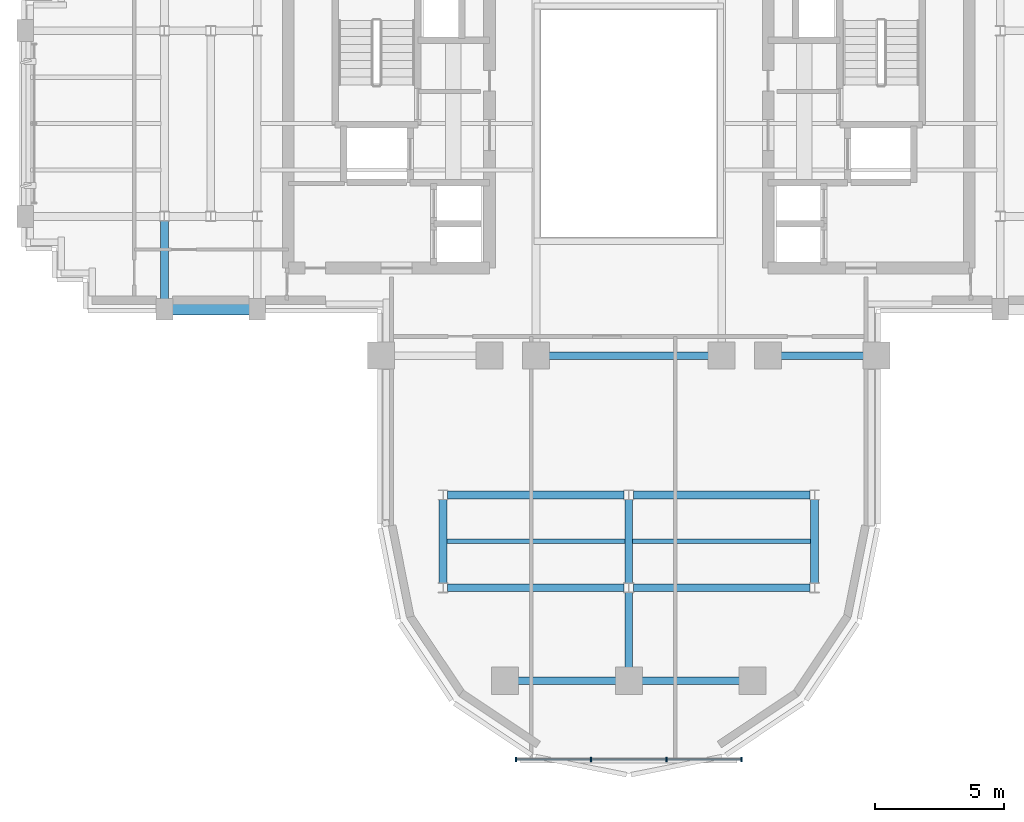
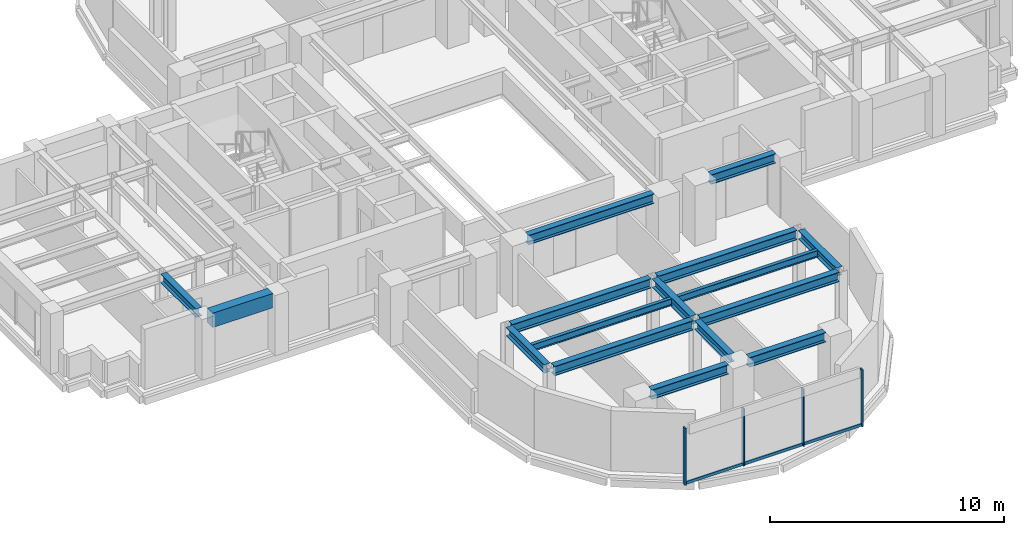
# One storey, part 3 of 13: 16 beams, 7 members, 1 element without a shape of its own.
"""IFC4 building model written with IfcOpenShell, lengths in metres."""

from ifc_helpers import new_model, si_unit, direction, frame, origin, origin_2d, place, context, subcontext, project, spatial, rectangle, i_section, extrude, source, transform, mapped, material, material_profile, profile_set, type_object, element, aggregate, save


model = new_model("IFC4")

# Units and contexts
model_context = context("Model", 3, precision=1e-05, world=origin(), true_north=direction((0.0, 1.0)))
body_context = subcontext(model_context, "Body", "Model", "MODEL_VIEW")
ifc_project = project(units=[si_unit("LENGTHUNIT", "METRE"), si_unit("AREAUNIT", "SQUARE_METRE"), si_unit("VOLUMEUNIT", "CUBIC_METRE"), si_unit("PLANEANGLEUNIT", "RADIAN"), si_unit("MASSUNIT", "GRAM", prefix="KILO")], contexts=[model_context])

# Site, building, storey
site_placement = place(None, origin())
site = spatial("IfcSite", under=ifc_project, at=site_placement, CompositionType="ELEMENT")
building_placement = place(site_placement, origin())
building = spatial("IfcBuilding", under=site, at=building_placement, Name="Keilestroom Media Tower", CompositionType="ELEMENT")
storey_placement = place(building_placement, frame((0.0, 0.0, 148.199951171875)))
storey = spatial("IfcBuildingStorey", under=building, at=storey_placement, Name="L40", CompositionType="ELEMENT", Elevation=148.199951171875)

# Beams
ifc_material_1 = material(Name="Steel S355", Category="steel")
ifc_material_profile_1 = material_profile(ifc_material_1, i_section(OverallWidth=0.169921875, OverallDepth=0.360107421875, WebThickness=0.008056640625, FlangeThickness=0.0126953125, at=origin_2d()), Name="IPE 360")
ifc_profile_set_1 = profile_set([ifc_material_profile_1], Name="Steel S355")
beam_type_1 = type_object("IfcBeamType", Name="Secondary-Floor-Joist-IPE-360", PredefinedType="JOIST", material=ifc_profile_set_1)
shared_shape_1 = source(origin(), body_context, "Body", "SweptSolid", [
    extrude(i_section(OverallWidth=0.169921875, OverallDepth=0.360107421875, WebThickness=0.008056640625, FlangeThickness=0.0126953125, at=origin_2d()), origin(), (0.0, 0.0, 1.0), 6.940185546875),
])
for number, where, z_axis, x_axis, name in (
    (1, (-7.070068359375, -16.199951171875, 2.9599609375), (1.0, 0.0, 0.0), (0.0, 1.0, 0.0), "L40 Beam BJ-5 JST-L40-069"),
    (2, (0.1298828125, -16.199951171875, 2.9599609375), (1.0, 0.0, 0.0), (0.0, 1.0, 0.0), "L40 Beam BJ-5 JST-L40-070"),
):
    element("IfcBeam", number, at=place(storey_placement, frame(where, z_axis=z_axis, x_axis=x_axis)), inside=storey, type_object=beam_type_1, Name=name, PredefinedType="JOIST", context=body_context, shape_type="MappedRepresentation", body=[
        mapped(shared_shape_1, transform((0.0, 0.0, 0.0), x_axis=(1.0, 0.0, 0.0), y_axis=(0.0, 1.0, 0.0), z_axis=(0.0, 0.0, 1.0), scale=1.0)),
    ])
ifc_material_profile_2 = material_profile(ifc_material_1, i_section(OverallWidth=0.300048828125, OverallDepth=0.5, WebThickness=0.012451171875, FlangeThickness=0.028076171875, at=origin_2d()), Name="HEB 500")
ifc_profile_set_2 = profile_set([ifc_material_profile_2], Name="Steel S355")
beam_type_2 = type_object("IfcBeamType", Name="Primary-Structural-Girder-HEB-500", PredefinedType="BEAM", material=ifc_profile_set_2)
shared_shape_2 = source(origin(), body_context, "Body", "SweptSolid", [
    extrude(i_section(OverallWidth=0.300048828125, OverallDepth=0.5, WebThickness=0.012451171875, FlangeThickness=0.028076171875, at=origin_2d()), origin(), (0.0, 0.0, 1.0), 3.7900390625),
])
for number, where, z_axis, x_axis, name in (
    (3, (-4.294921875, -21.60009765625, 2.89013671875), (1.0, 0.0, 0.0), (0.0, 1.0, 0.0), "L40 Beam BG-6 BM-L40-EW-001"),
    (4, (0.5048828125, -21.60009765625, 2.89013671875), (1.0, 0.0, 0.0), (0.0, 1.0, 0.0), "L40 Beam BG-6 BM-L40-EW-002"),
):
    element("IfcBeam", number, at=place(storey_placement, frame(where, z_axis=z_axis, x_axis=x_axis)), inside=storey, type_object=beam_type_2, Name=name, PredefinedType="BEAM", context=body_context, shape_type="MappedRepresentation", body=[
        mapped(shared_shape_2, transform((0.0, 0.0, 0.0), x_axis=(1.0, 0.0, 0.0), y_axis=(0.0, 1.0, 0.0), z_axis=(0.0, 0.0, 1.0), scale=1.0)),
    ])
shared_shape_3 = source(origin(), body_context, "Body", "SweptSolid", [
    extrude(i_section(OverallWidth=0.300048828125, OverallDepth=0.5, WebThickness=0.012451171875, FlangeThickness=0.028076171875, at=origin_2d()), origin(), (0.0, 0.0, 1.0), 6.839111328125),
])
for number, where, z_axis, x_axis, name in (
    (5, (-7.01953125, -18.0, 2.89013671875), (1.0, 0.0, 0.0), (0.0, 1.0, 0.0), "L40 Beam BG-6 BM-L40-EW-003"),
    (6, (0.180419921875, -18.0, 2.89013671875), (1.0, 0.0, 0.0), (0.0, 1.0, 0.0), "L40 Beam BG-6 BM-L40-EW-004"),
    (7, (-7.01953125, -14.39990234375, 2.89013671875), (1.0, 0.0, 0.0), (0.0, 1.0, 0.0), "L40 Beam BG-6 BM-L40-EW-005"),
    (8, (0.180419921875, -14.39990234375, 2.89013671875), (1.0, 0.0, 0.0), (0.0, 1.0, 0.0), "L40 Beam BG-6 BM-L40-EW-006"),
):
    element("IfcBeam", number, at=place(storey_placement, frame(where, z_axis=z_axis, x_axis=x_axis)), inside=storey, type_object=beam_type_2, Name=name, PredefinedType="BEAM", context=body_context, shape_type="MappedRepresentation", body=[
        mapped(shared_shape_3, transform((0.0, 0.0, 0.0), x_axis=(1.0, 0.0, 0.0), y_axis=(0.0, 1.0, 0.0), z_axis=(0.0, 0.0, 1.0), scale=1.0)),
    ])
shared_shape_4 = source(origin(), body_context, "Body", "SweptSolid", [
    extrude(i_section(OverallWidth=0.300048828125, OverallDepth=0.5, WebThickness=0.012451171875, FlangeThickness=0.028076171875, at=origin_2d()), origin(), (0.0, 0.0, 1.0), 3.18994140625),
])
beam_1_placement = place(storey_placement, frame((5.905029296875, -9.0, 2.89013671875), z_axis=(1.0, 0.0, 0.0), x_axis=(0.0, 1.0, 0.0)))
element("IfcBeam", 9, at=beam_1_placement, inside=storey, type_object=beam_type_2, Name="L40 Beam BG-6 BM-L40-EW-011", PredefinedType="BEAM", context=body_context, shape_type="MappedRepresentation", body=[
    mapped(shared_shape_4, transform((0.0, 0.0, 0.0), x_axis=(1.0, 0.0, 0.0), y_axis=(0.0, 1.0, 0.0), z_axis=(0.0, 0.0, 1.0), scale=1.0)),
])
shared_shape_5 = source(origin(), body_context, "Body", "SweptSolid", [
    extrude(i_section(OverallWidth=0.300048828125, OverallDepth=0.5, WebThickness=0.012451171875, FlangeThickness=0.028076171875, at=origin_2d()), origin(), (0.0, 0.0, 1.0), 6.18994140625),
])
beam_2_placement = place(storey_placement, frame((-3.094970703125, -9.0, 2.89013671875), z_axis=(1.0, 0.0, 0.0), x_axis=(0.0, 1.0, 0.0)))
element("IfcBeam", 10, at=beam_2_placement, inside=storey, type_object=beam_type_2, Name="L40 Beam BG-6 BM-L40-EW-009", PredefinedType="BEAM", context=body_context, shape_type="MappedRepresentation", body=[
    mapped(shared_shape_5, transform((0.0, 0.0, 0.0), x_axis=(1.0, 0.0, 0.0), y_axis=(0.0, 1.0, 0.0), z_axis=(0.0, 0.0, 1.0), scale=1.0)),
])
ifc_material_2 = material(Name="Precast concrete C40/50", Category="concrete")
ifc_material_profile_3 = material_profile(ifc_material_2, rectangle(XDim=0.449951171875, YDim=0.75, at=origin_2d()), Name="PC 450x750")
ifc_profile_set_3 = profile_set([ifc_material_profile_3], Name="Precast concrete C40/50")
beam_type_3 = type_object("IfcBeamType", Name="Perimeter-Spandrel-Beam-PC-450x750", PredefinedType="SPANDREL", material=ifc_profile_set_3)
shared_shape_6 = source(origin(), body_context, "Body", "SweptSolid", [
    extrude(rectangle(XDim=0.449951171875, YDim=0.75, at=origin_2d()), origin(), (0.0, 0.0, 1.0), 2.989990234375),
])
beam_3_placement = place(storey_placement, frame((-17.695068359375, -7.199951171875, 2.76513671875), z_axis=(1.0, 0.0, 0.0), x_axis=(0.0, 1.0, 0.0)))
element("IfcBeam", 11, at=beam_3_placement, inside=storey, type_object=beam_type_3, Name="L40 Beam SPB-1 BM-L40-EW-012", PredefinedType="SPANDREL", context=body_context, shape_type="MappedRepresentation", body=[
    mapped(shared_shape_6, transform((0.0, 0.0, 0.0), x_axis=(1.0, 0.0, 0.0), y_axis=(0.0, 1.0, 0.0), z_axis=(0.0, 0.0, 1.0), scale=1.0)),
])
ifc_material_profile_4 = material_profile(ifc_material_1, i_section(OverallWidth=0.300048828125, OverallDepth=0.449951171875, WebThickness=0.011962890625, FlangeThickness=0.02587890625, at=origin_2d()), Name="HEB 450")
ifc_profile_set_4 = profile_set([ifc_material_profile_4], Name="Steel S355")
beam_type_4 = type_object("IfcBeamType", Name="Primary-Structural-Girder-HEB-450", PredefinedType="BEAM", material=ifc_profile_set_4)
shared_shape_7 = source(origin(), body_context, "Body", "SweptSolid", [
    extrude(i_section(OverallWidth=0.300048828125, OverallDepth=0.449951171875, WebThickness=0.011962890625, FlangeThickness=0.02587890625, at=origin_2d()), origin(), (0.0, 0.0, 1.0), 3.015380859375),
])
beam_4_placement = place(storey_placement, frame((-18.0, -6.794921875, 2.9150390625), z_axis=(0.0, 1.0, 0.0), x_axis=(-1.0, 0.0, 0.0)))
element("IfcBeam", 12, at=beam_4_placement, inside=storey, type_object=beam_type_4, Name="L40 Beam BG-7 BM-L40-NS-040", PredefinedType="BEAM", context=body_context, shape_type="MappedRepresentation", body=[
    mapped(shared_shape_7, transform((0.0, 0.0, 0.0), x_axis=(1.0, 0.0, 0.0), y_axis=(0.0, 1.0, 0.0), z_axis=(0.0, 0.0, 1.0), scale=1.0)),
])
shared_shape_8 = source(origin(), body_context, "Body", "SweptSolid", [
    extrude(i_section(OverallWidth=0.300048828125, OverallDepth=0.449951171875, WebThickness=0.011962890625, FlangeThickness=0.02587890625, at=origin_2d()), origin(), (0.0, 0.0, 1.0), 3.240966796875),
])
for number, where, z_axis, x_axis, name in (
    (13, (-7.199951171875, -17.820556640625, 2.9150390625), (0.0, 1.0, 0.0), (-1.0, 0.0, 0.0), "L40 Beam BG-7 BM-L40-NS-048"),
    (14, (0.0, -17.820556640625, 2.9150390625), (0.0, 1.0, 0.0), (-1.0, 0.0, 0.0), "L40 Beam BG-7 BM-L40-NS-053"),
    (15, (7.199951171875, -17.820556640625, 2.9150390625), (0.0, 1.0, 0.0), (-1.0, 0.0, 0.0), "L40 Beam BG-7 BM-L40-NS-058"),
):
    element("IfcBeam", number, at=place(storey_placement, frame(where, z_axis=z_axis, x_axis=x_axis)), inside=storey, type_object=beam_type_4, Name=name, PredefinedType="BEAM", context=body_context, shape_type="MappedRepresentation", body=[
        mapped(shared_shape_8, transform((0.0, 0.0, 0.0), x_axis=(1.0, 0.0, 0.0), y_axis=(0.0, 1.0, 0.0), z_axis=(0.0, 0.0, 1.0), scale=1.0)),
    ])
shared_shape_9 = source(origin(), body_context, "Body", "SweptSolid", [
    extrude(i_section(OverallWidth=0.300048828125, OverallDepth=0.449951171875, WebThickness=0.011962890625, FlangeThickness=0.02587890625, at=origin_2d()), origin(), (0.0, 0.0, 1.0), 2.91552734375),
])
beam_5_placement = place(storey_placement, frame((0.0, -21.094970703125, 2.9150390625), z_axis=(0.0, 1.0, 0.0), x_axis=(-1.0, 0.0, 0.0)))
element("IfcBeam", 16, at=beam_5_placement, inside=storey, type_object=beam_type_4, Name="L40 Beam BG-7 BM-L40-NS-052", PredefinedType="BEAM", context=body_context, shape_type="MappedRepresentation", body=[
    mapped(shared_shape_9, transform((0.0, 0.0, 0.0), x_axis=(1.0, 0.0, 0.0), y_axis=(0.0, 1.0, 0.0), z_axis=(0.0, 0.0, 1.0), scale=1.0)),
])

# Curtain wall, members
ifc_material_3 = material(Name="Anodised Aluminium Alloy", Category="aluminium")
curtain_wall_type = type_object("IfcCurtainWallType", Name="Unitised-Curtain-Wall-CW-6", PredefinedType="NOTDEFINED", material=ifc_material_3)
curtain_wall_placement = place(storey_placement, origin())
curtain_wall = element("IfcCurtainWall", 17, at=curtain_wall_placement, inside=storey, type_object=curtain_wall_type, Name="L40 Curtain Wall CW-6 CW-L40-LS-1", PredefinedType="NOTDEFINED")
ifc_material_profile_5 = material_profile(ifc_material_3, rectangle(XDim=0.06494140625, YDim=0.179931640625, at=origin_2d()), Name="ALU MULLION 65x180")
ifc_profile_set_5 = profile_set([ifc_material_profile_5], Name="Anodised Aluminium Alloy")
member_type_1 = type_object("IfcMemberType", Name="Curtain-Wall-Mullion-CW-6", PredefinedType="MULLION", material=ifc_profile_set_5)
shared_shape_10 = source(origin(), body_context, "Body", "SweptSolid", [
    extrude(rectangle(XDim=0.06494140625, YDim=0.179931640625, at=origin_2d()), origin(), (0.0, 0.0, 1.0), 2.97998046875),
])
member_1_placement = place(storey_placement, frame((-4.367431640625, -24.64990234375, 0.0), z_axis=(0.0, 0.0, 1.0), x_axis=(1.0, 0.0, 0.0)))
member_1 = element("IfcMember", 18, at=member_1_placement, type_object=member_type_1, Name="CW-6 Mullion 00", PredefinedType="MULLION", context=body_context, shape_type="MappedRepresentation", body=[
    mapped(shared_shape_10, transform((0.0, 0.0, 0.0), x_axis=(1.0, 0.0, 0.0), y_axis=(0.0, 1.0, 0.0), z_axis=(0.0, 0.0, 1.0), scale=1.0)),
])
member_2_placement = place(storey_placement, frame((-1.466796875, -24.64990234375, 0.0), z_axis=(0.0, 0.0, 1.0), x_axis=(1.0, 0.0, 0.0)))
member_2 = element("IfcMember", 19, at=member_2_placement, type_object=member_type_1, Name="CW-6 Mullion 01", PredefinedType="MULLION", context=body_context, shape_type="MappedRepresentation", body=[
    mapped(shared_shape_10, transform((0.0, 0.0, 0.0), x_axis=(1.0, 0.0, 0.0), y_axis=(0.0, 1.0, 0.0), z_axis=(0.0, 0.0, 1.0), scale=1.0)),
])
member_3_placement = place(storey_placement, frame((1.466796875, -24.64990234375, 0.0), z_axis=(0.0, 0.0, 1.0), x_axis=(1.0, 0.0, 0.0)))
member_3 = element("IfcMember", 20, at=member_3_placement, type_object=member_type_1, Name="CW-6 Mullion 02", PredefinedType="MULLION", context=body_context, shape_type="MappedRepresentation", body=[
    mapped(shared_shape_10, transform((0.0, 0.0, 0.0), x_axis=(1.0, 0.0, 0.0), y_axis=(0.0, 1.0, 0.0), z_axis=(0.0, 0.0, 1.0), scale=1.0)),
])
member_4_placement = place(storey_placement, frame((4.367431640625, -24.64990234375, 0.0), z_axis=(0.0, 0.0, 1.0), x_axis=(1.0, 0.0, 0.0)))
member_4 = element("IfcMember", 21, at=member_4_placement, type_object=member_type_1, Name="CW-6 Mullion 03", PredefinedType="MULLION", context=body_context, shape_type="MappedRepresentation", body=[
    mapped(shared_shape_10, transform((0.0, 0.0, 0.0), x_axis=(1.0, 0.0, 0.0), y_axis=(0.0, 1.0, 0.0), z_axis=(0.0, 0.0, 1.0), scale=1.0)),
])
ifc_material_profile_6 = material_profile(ifc_material_3, rectangle(XDim=0.06494140625, YDim=0.14990234375, at=origin_2d()), Name="ALU TRANSOM 65x150")
ifc_profile_set_6 = profile_set([ifc_material_profile_6], Name="Anodised Aluminium Alloy")
member_type_2 = type_object("IfcMemberType", Name="Curtain-Wall-Transom-CW-6", PredefinedType="USERDEFINED", material=ifc_profile_set_6)
shared_shape_11 = source(origin(), body_context, "Body", "SweptSolid", [
    extrude(rectangle(XDim=0.06494140625, YDim=0.14990234375, at=origin_2d()), origin(), (0.0, 0.0, 1.0), 2.839599609375),
])
member_5_placement = place(storey_placement, frame((-4.3369140625, -24.64990234375, 0.074951171875), z_axis=(1.0, 0.0, 0.0), x_axis=(0.0, 1.0, 0.0)))
member_5 = element("IfcMember", 22, at=member_5_placement, type_object=member_type_2, Name="CW-6 Transom 00.1", ObjectType="TRANSOM", PredefinedType="USERDEFINED", context=body_context, shape_type="MappedRepresentation", body=[
    mapped(shared_shape_11, transform((0.0, 0.0, 0.0), x_axis=(1.0, 0.0, 0.0), y_axis=(0.0, 1.0, 0.0), z_axis=(0.0, 0.0, 1.0), scale=1.0)),
])
member_6_placement = place(storey_placement, frame((1.497314453125, -24.64990234375, 0.074951171875), z_axis=(1.0, 0.0, 0.0), x_axis=(0.0, 1.0, 0.0)))
member_6 = element("IfcMember", 23, at=member_6_placement, type_object=member_type_2, Name="CW-6 Transom 02.1", ObjectType="TRANSOM", PredefinedType="USERDEFINED", context=body_context, shape_type="MappedRepresentation", body=[
    mapped(shared_shape_11, transform((0.0, 0.0, 0.0), x_axis=(1.0, 0.0, 0.0), y_axis=(0.0, 1.0, 0.0), z_axis=(0.0, 0.0, 1.0), scale=1.0)),
])
shared_shape_12 = source(origin(), body_context, "Body", "SweptSolid", [
    extrude(rectangle(XDim=0.06494140625, YDim=0.14990234375, at=origin_2d()), origin(), (0.0, 0.0, 1.0), 2.87255859375),
])
member_7_placement = place(storey_placement, frame((-1.436279296875, -24.64990234375, 0.074951171875), z_axis=(1.0, 0.0, 0.0), x_axis=(0.0, 1.0, 0.0)))
member_7 = element("IfcMember", 24, at=member_7_placement, type_object=member_type_2, Name="CW-6 Transom 01.1", ObjectType="TRANSOM", PredefinedType="USERDEFINED", context=body_context, shape_type="MappedRepresentation", body=[
    mapped(shared_shape_12, transform((0.0, 0.0, 0.0), x_axis=(1.0, 0.0, 0.0), y_axis=(0.0, 1.0, 0.0), z_axis=(0.0, 0.0, 1.0), scale=1.0)),
])
aggregate(curtain_wall, [member_1, member_2, member_3, member_4, member_5, member_7, member_6])

save(model, "model.ifc")
